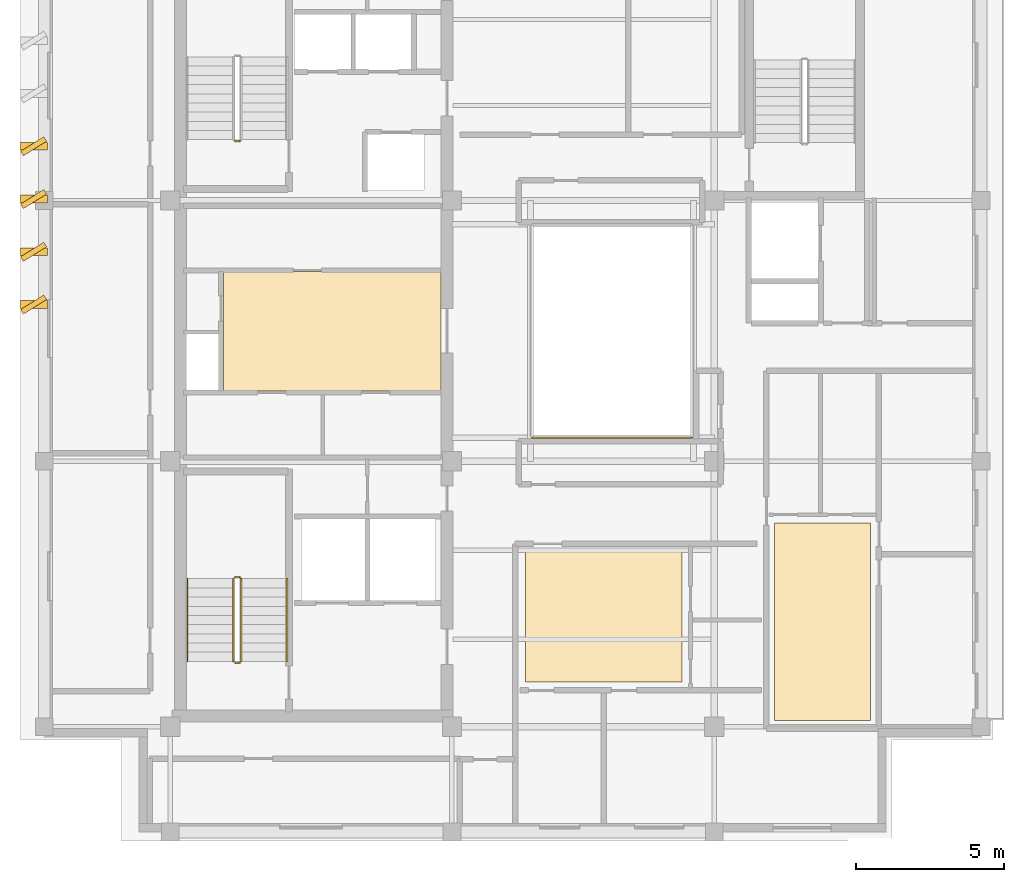
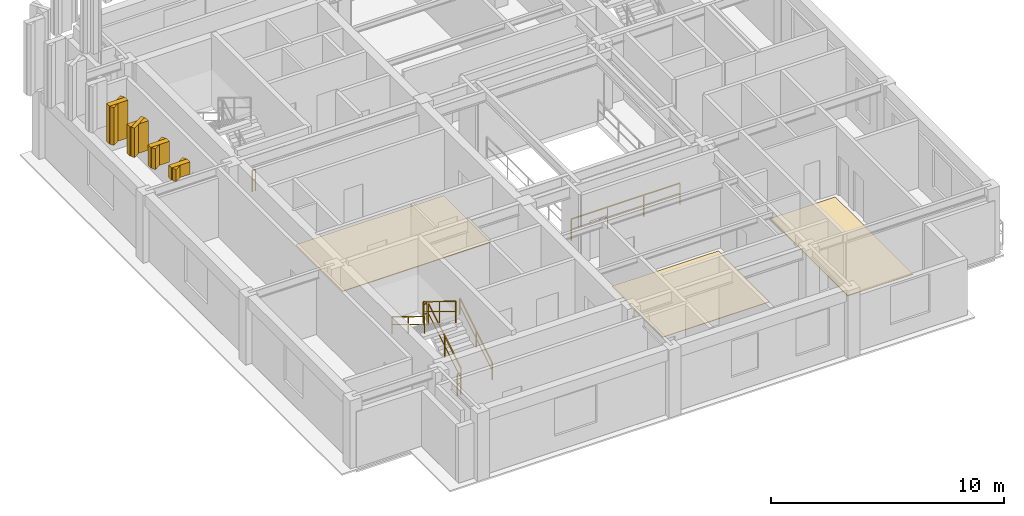
# One storey, part 7 of 9: 8 railings, 7 coverings, 4 shading devices.
"""IFC4 building model written with IfcOpenShell, lengths in metres."""

from ifc_helpers import new_model, si_unit, direction, frame, origin, origin_2d, place, context, subcontext, project, spatial, polyline, rectangle, outline, extrude, material, layer, layer_set, type_object, element, save


model = new_model("IFC4")

# Units and contexts
model_context = context("Model", 3, precision=1e-05, world=origin(), true_north=direction((0.0, 1.0)))
body_context = subcontext(model_context, "Body", "Model", "MODEL_VIEW")
ifc_project = project(units=[si_unit("LENGTHUNIT", "METRE"), si_unit("AREAUNIT", "SQUARE_METRE"), si_unit("VOLUMEUNIT", "CUBIC_METRE"), si_unit("PLANEANGLEUNIT", "RADIAN"), si_unit("MASSUNIT", "GRAM", prefix="KILO")], contexts=[model_context])

# Site, building, storey
site_placement = place(None, origin())
site = spatial("IfcSite", under=ifc_project, at=site_placement, CompositionType="ELEMENT")
building_placement = place(site_placement, origin())
building = spatial("IfcBuilding", under=site, at=building_placement, Name="Kundavana Baori Tower", CompositionType="ELEMENT")
storey_placement = place(building_placement, frame((0.0, 0.0, 342.89990234375)))
storey = spatial("IfcBuildingStorey", under=building, at=storey_placement, Name="L85", CompositionType="ELEMENT", Elevation=342.89990234375)

# Coverings
ifc_material_1 = material(Name="Honed Kota Stone and Terrazzo Flooring", Category="masonry")
ifc_layer_1 = layer(ifc_material_1, 0.0400390625, Name="COV-FLR-TERR-40")
ifc_layer_set_1 = layer_set([ifc_layer_1], Name="Honed Kota Stone and Terrazzo Flooring")
covering_type_1 = type_object("IfcCoveringType", Name="COV-FLR-TERR-40", PredefinedType="FLOORING", material=ifc_layer_set_1)
covering_1_placement = place(storey_placement, origin())
element("IfcCovering", 1, at=covering_1_placement, inside=storey, type_object=covering_type_1, Name="L85 Room Finished Stone Flooring 2", PredefinedType="FLOORING", context=body_context, shape_type="SweptSolid", body=[
    extrude(outline(polyline([(35.840087890625, 15.4599609375), (39.070068359375, 15.4599609375), (39.070068359375, 22.1201171875), (35.840087890625, 22.1201171875), (35.840087890625, 15.4599609375)])), origin(), (0.0, 0.0, 1.0), 0.0400390625),
])
covering_2_placement = place(storey_placement, origin())
element("IfcCovering", 2, at=covering_2_placement, inside=storey, type_object=covering_type_1, Name="L85 Core Lift Lobby Kota Stone Flooring", PredefinedType="FLOORING", context=body_context, shape_type="SweptSolid", body=[
    extrude(outline(polyline([(17.25, 26.580078125), (24.580078125, 26.580078125), (24.580078125, 30.60009765625), (17.25, 30.60009765625), (17.25, 26.580078125)])), origin(), (0.0, 0.0, 1.0), 0.0400390625),
])
ifc_material_2 = material(Name="Honed Kota Stone and Terrazzo Flooring", Category="masonry")
ifc_layer_2 = layer(ifc_material_2, 0.030029296875, Name="COV-INT-FLR")
ifc_layer_set_2 = layer_set([ifc_layer_2], Name="Honed Kota Stone and Terrazzo Flooring")
covering_type_2 = type_object("IfcCoveringType", Name="COV-INT-FLR", PredefinedType="FLOORING", material=ifc_layer_set_2)
covering_3_placement = place(storey_placement, origin())
element("IfcCovering", 3, at=covering_3_placement, inside=storey, type_object=covering_type_2, Name="L85 Room Finished Stone Flooring 1", PredefinedType="FLOORING", context=body_context, shape_type="SweptSolid", body=[
    extrude(outline(polyline([(27.43994140625, 16.75), (32.719970703125, 16.75), (32.719970703125, 21.139892578125), (27.43994140625, 21.139892578125), (27.43994140625, 16.75)])), origin(), (0.0, 0.0, 1.0), 0.030029296875),
])
ifc_material_3 = material(Name="Cream-White Makrana Limestone on Concrete C40/50", Category="masonry")
ifc_layer_3 = layer(ifc_material_3, 0.239990234375, Name="COV-SAIL-FIN")
ifc_layer_set_3 = layer_set([ifc_layer_3], Name="Cream-White Makrana Limestone on Concrete C40/50")
covering_type_3 = type_object("IfcCoveringType", Name="COV-SAIL-FIN", PredefinedType="CLADDING", material=ifc_layer_set_3)
covering_4_placement = place(storey_placement, frame((0.0, 0.0, 5.22216796875)))
element("IfcCovering", 4, at=covering_4_placement, inside=storey, type_object=covering_type_3, Name="L85 Climbing Makrana White Limestone Sail Fin 063", PredefinedType="CLADDING", context=body_context, shape_type="SweptSolid", body=[
    extrude(outline(polyline([(10.3798828125, 34.699951171875), (11.300048828125, 34.699951171875), (11.300048828125, 34.9599609375), (10.3798828125, 34.9599609375), (10.3798828125, 34.699951171875)])), origin(), (0.0, 0.0, 1.0), 1.97802734375),
])
covering_5_placement = place(storey_placement, frame((0.0, 0.0, 5.66650390625)))
element("IfcCovering", 5, at=covering_5_placement, inside=storey, type_object=covering_type_3, Name="L85 Climbing Makrana White Limestone Sail Fin 064", PredefinedType="CLADDING", context=body_context, shape_type="SweptSolid", body=[
    extrude(outline(polyline([(10.3798828125, 32.919921875), (11.300048828125, 32.919921875), (11.300048828125, 33.179931640625), (10.3798828125, 33.179931640625), (10.3798828125, 32.919921875)])), origin(), (0.0, 0.0, 1.0), 1.53369140625),
])
covering_6_placement = place(storey_placement, frame((0.0, 0.0, 6.11279296875)))
element("IfcCovering", 6, at=covering_6_placement, inside=storey, type_object=covering_type_3, Name="L85 Climbing Makrana White Limestone Sail Fin 065", PredefinedType="CLADDING", context=body_context, shape_type="SweptSolid", body=[
    extrude(outline(polyline([(10.3798828125, 31.139892578125), (11.300048828125, 31.139892578125), (11.300048828125, 31.39990234375), (10.3798828125, 31.39990234375), (10.3798828125, 31.139892578125)])), origin(), (0.0, 0.0, 1.0), 1.08740234375),
])
covering_7_placement = place(storey_placement, frame((0.0, 0.0, 6.5615234375)))
element("IfcCovering", 7, at=covering_7_placement, inside=storey, type_object=covering_type_3, Name="L85 Climbing Makrana White Limestone Sail Fin 066", PredefinedType="CLADDING", context=body_context, shape_type="SweptSolid", body=[
    extrude(outline(polyline([(10.3798828125, 29.360107421875), (11.300048828125, 29.360107421875), (11.300048828125, 29.6201171875), (10.3798828125, 29.6201171875), (10.3798828125, 29.360107421875)])), origin(), (0.0, 0.0, 1.0), 0.638671875),
])

# Railings
ifc_material_4 = material(Name="Architectural Patinated Bronze Metalwork")
railing_type_1 = type_object("IfcRailingType", Name="RL-GRD-1150", PredefinedType="GUARDRAIL", material=ifc_material_4)
railing_1_placement = place(storey_placement, frame((17.840087890625, 17.449951171875, 0.190185546875)))
element("IfcRailing", 8, at=railing_1_placement, inside=storey, type_object=railing_type_1, Name="L85 ST1 stair guard 1", PredefinedType="GUARDRAIL", context=body_context, shape_type="SweptSolid", body=[
    extrude(rectangle(XDim=0.048095703125, YDim=0.048095703125, at=origin_2d()), frame((0.0, 0.0, 1.1259765625), z_axis=(0.0, 0.852609830418, 0.522548061975), x_axis=(-1.0, 0.0, 0.0)), (0.0, 0.0, 1.0), 3.2724609375),
    extrude(rectangle(XDim=0.03125, YDim=0.03125, at=origin_2d()), frame((0.0, 0.0, 0.597900390625), z_axis=(0.0, 0.852609830418, 0.522548061975), x_axis=(-1.0, 0.0, 0.0)), (0.0, 0.0, 1.0), 3.2724609375),
    extrude(rectangle(XDim=0.0419921875, YDim=0.0419921875, at=origin_2d()), origin(), (0.0, 0.0, 1.0), 1.101806640625),
    extrude(rectangle(XDim=0.0419921875, YDim=0.0419921875, at=origin_2d()), frame((0.0, 1.39501953125, 0.85498046875)), (0.0, 0.0, 1.0), 1.101806640625),
    extrude(rectangle(XDim=0.0419921875, YDim=0.0419921875, at=origin_2d()), frame((0.0, 2.7900390625, 1.7099609375)), (0.0, 0.0, 1.0), 1.101806640625),
])
railing_2_placement = place(storey_placement, frame((17.7900390625, 20.2900390625, 1.900146484375)))
element("IfcRailing", 9, at=railing_2_placement, inside=storey, type_object=railing_type_1, Name="L85 ST1 stair guard 2", PredefinedType="GUARDRAIL", context=body_context, shape_type="SweptSolid", body=[
    extrude(rectangle(XDim=0.048095703125, YDim=0.048095703125, at=origin_2d()), frame((0.0, 0.0, 1.1259765625), z_axis=(-1.0, 0.0, 0.0), x_axis=(0.0, -1.0, 0.0)), (0.0, 0.0, 1.0), 0.16015625),
    extrude(rectangle(XDim=0.03125, YDim=0.03125, at=origin_2d()), frame((0.0, 0.0, 0.597900390625), z_axis=(-1.0, 0.0, 0.0), x_axis=(0.0, -1.0, 0.0)), (0.0, 0.0, 1.0), 0.16015625),
    extrude(rectangle(XDim=0.0419921875, YDim=0.0419921875, at=origin_2d()), origin(), (0.0, 0.0, 1.0), 1.101806640625),
    extrude(rectangle(XDim=0.0419921875, YDim=0.0419921875, at=origin_2d()), frame((-0.16015625, 0.0, 0.0)), (0.0, 0.0, 1.0), 1.101806640625),
])
railing_3_placement = place(storey_placement, frame((17.580078125, 20.239990234375, 2.090087890625)))
element("IfcRailing", 10, at=railing_3_placement, inside=storey, type_object=railing_type_1, Name="L85 ST1 stair guard 3", PredefinedType="GUARDRAIL", context=body_context, shape_type="SweptSolid", body=[
    extrude(rectangle(XDim=0.048095703125, YDim=0.048095703125, at=origin_2d()), frame((0.0, 0.0, 1.1259765625), z_axis=(0.0, -0.852609830418, 0.522548061975), x_axis=(1.0, 0.0, 0.0)), (0.0, 0.0, 1.0), 3.2724609375),
    extrude(rectangle(XDim=0.03125, YDim=0.03125, at=origin_2d()), frame((0.0, 0.0, 0.597900390625), z_axis=(0.0, -0.852609830418, 0.522548061975), x_axis=(1.0, 0.0, 0.0)), (0.0, 0.0, 1.0), 3.2724609375),
    extrude(rectangle(XDim=0.0419921875, YDim=0.0419921875, at=origin_2d()), origin(), (0.0, 0.0, 1.0), 1.101806640625),
    extrude(rectangle(XDim=0.0419921875, YDim=0.0419921875, at=origin_2d()), frame((0.0, -1.39501953125, 0.85498046875)), (0.0, 0.0, 1.0), 1.101806640625),
    extrude(rectangle(XDim=0.0419921875, YDim=0.0419921875, at=origin_2d()), frame((0.0, -2.7900390625, 1.7099609375)), (0.0, 0.0, 1.0), 1.101806640625),
])
for number, where, name in (
    (11, (17.7900390625, 17.39990234375, 0.0), "L85 ST1 stair guard 4"),
    (12, (17.7900390625, 35.0, 0.0), "L85 ST2 stair guard 4"),
):
    element("IfcRailing", number, at=place(storey_placement, frame(where)), inside=storey, type_object=railing_type_1, Name=name, PredefinedType="GUARDRAIL", context=body_context, shape_type="SweptSolid", body=[
        extrude(rectangle(XDim=0.048095703125, YDim=0.048095703125, at=origin_2d()), frame((0.0, 0.0, 1.1259765625), z_axis=(-1.0, 0.0, 0.0), x_axis=(0.0, -1.0, 0.0)), (0.0, 0.0, 1.0), 0.16015625),
        extrude(rectangle(XDim=0.03125, YDim=0.03125, at=origin_2d()), frame((0.0, 0.0, 0.597900390625), z_axis=(-1.0, 0.0, 0.0), x_axis=(0.0, -1.0, 0.0)), (0.0, 0.0, 1.0), 0.16015625),
        extrude(rectangle(XDim=0.0419921875, YDim=0.0419921875, at=origin_2d()), origin(), (0.0, 0.0, 1.0), 1.101806640625),
        extrude(rectangle(XDim=0.0419921875, YDim=0.0419921875, at=origin_2d()), frame((-0.16015625, 0.0, 0.0)), (0.0, 0.0, 1.0), 1.101806640625),
    ])
railing_4_placement = place(storey_placement, frame((27.659912109375, 25.0, 0.0)))
element("IfcRailing", 13, at=railing_4_placement, inside=storey, type_object=railing_type_1, Name="L85 Atrium Void Perimeter Guardrail S", PredefinedType="GUARDRAIL", context=body_context, shape_type="SweptSolid", body=[
    extrude(rectangle(XDim=0.048095703125, YDim=0.048095703125, at=origin_2d()), frame((0.0, 0.0, 1.1259765625), z_axis=(1.0, 0.0, 0.0), x_axis=(0.0, 1.0, 0.0)), (0.0, 0.0, 1.0), 5.380126953125),
    extrude(rectangle(XDim=0.03125, YDim=0.03125, at=origin_2d()), frame((0.0, 0.0, 0.597900390625), z_axis=(1.0, 0.0, 0.0), x_axis=(0.0, 1.0, 0.0)), (0.0, 0.0, 1.0), 5.380126953125),
    extrude(rectangle(XDim=0.0419921875, YDim=0.0419921875, at=origin_2d()), origin(), (0.0, 0.0, 1.0), 1.101806640625),
    extrude(rectangle(XDim=0.0419921875, YDim=0.0419921875, at=origin_2d()), frame((1.79345703125, 0.0, 0.0)), (0.0, 0.0, 1.0), 1.101806640625),
    extrude(rectangle(XDim=0.0419921875, YDim=0.0419921875, at=origin_2d()), frame((3.586669921875, 0.0, 0.0)), (0.0, 0.0, 1.0), 1.101806640625),
    extrude(rectangle(XDim=0.0419921875, YDim=0.0419921875, at=origin_2d()), frame((5.380126953125, 0.0, 0.0)), (0.0, 0.0, 1.0), 1.101806640625),
])
ifc_material_5 = material(Name="Architectural Patinated Bronze Metalwork")
railing_type_2 = type_object("IfcRailingType", Name="RL-HND-920", PredefinedType="HANDRAIL", material=ifc_material_5)
railing_5_placement = place(storey_placement, frame((19.389892578125, 17.449951171875, 0.190185546875)))
element("IfcRailing", 14, at=railing_5_placement, inside=storey, type_object=railing_type_2, Name="L85 ST1 stair handrail 1", PredefinedType="HANDRAIL", context=body_context, shape_type="SweptSolid", body=[
    extrude(rectangle(XDim=0.048095703125, YDim=0.048095703125, at=origin_2d()), frame((0.0, 0.0, 0.8759765625), z_axis=(0.0, 0.852609830418, 0.522548061975), x_axis=(-1.0, 0.0, 0.0)), (0.0, 0.0, 1.0), 3.2724609375),
    extrude(rectangle(XDim=0.03125, YDim=0.03125, at=origin_2d()), frame((0.0, 0.0, 0.468017578125), z_axis=(0.0, 0.852609830418, 0.522548061975), x_axis=(-1.0, 0.0, 0.0)), (0.0, 0.0, 1.0), 3.2724609375),
    extrude(rectangle(XDim=0.0419921875, YDim=0.0419921875, at=origin_2d()), origin(), (0.0, 0.0, 1.0), 0.851806640625),
    extrude(rectangle(XDim=0.0419921875, YDim=0.0419921875, at=origin_2d()), frame((0.0, 1.39501953125, 0.85498046875)), (0.0, 0.0, 1.0), 0.851806640625),
    extrude(rectangle(XDim=0.0419921875, YDim=0.0419921875, at=origin_2d()), frame((0.0, 2.7900390625, 1.7099609375)), (0.0, 0.0, 1.0), 0.851806640625),
])
railing_6_placement = place(storey_placement, frame((16.030029296875, 20.239990234375, 2.090087890625)))
element("IfcRailing", 15, at=railing_6_placement, inside=storey, type_object=railing_type_2, Name="L85 ST1 stair handrail 2", PredefinedType="HANDRAIL", context=body_context, shape_type="SweptSolid", body=[
    extrude(rectangle(XDim=0.048095703125, YDim=0.048095703125, at=origin_2d()), frame((0.0, 0.0, 0.8759765625), z_axis=(0.0, -0.852609830418, 0.522548061975), x_axis=(1.0, 0.0, 0.0)), (0.0, 0.0, 1.0), 3.2724609375),
    extrude(rectangle(XDim=0.03125, YDim=0.03125, at=origin_2d()), frame((0.0, 0.0, 0.468017578125), z_axis=(0.0, -0.852609830418, 0.522548061975), x_axis=(1.0, 0.0, 0.0)), (0.0, 0.0, 1.0), 3.2724609375),
    extrude(rectangle(XDim=0.0419921875, YDim=0.0419921875, at=origin_2d()), origin(), (0.0, 0.0, 1.0), 0.851806640625),
    extrude(rectangle(XDim=0.0419921875, YDim=0.0419921875, at=origin_2d()), frame((0.0, -1.39501953125, 0.85498046875)), (0.0, 0.0, 1.0), 0.851806640625),
    extrude(rectangle(XDim=0.0419921875, YDim=0.0419921875, at=origin_2d()), frame((0.0, -2.7900390625, 1.7099609375)), (0.0, 0.0, 1.0), 0.851806640625),
])

# Shading devices
ifc_material_6 = material(Name="Red-Buff Dholpur Sandstone Cladding on Concrete C40/50", Category="masonry")
shading_device_type = type_object("IfcShadingDeviceType", Name="SHD-FIN-920", PredefinedType="JALOUSIE", material=ifc_material_6)
shading_device_1_placement = place(storey_placement, frame((10.840087890625, 34.830078125, 5.22216796875), z_axis=(0.0, 0.0, 1.0), x_axis=(-0.529919264233, 0.848048096156, 0.0)))
element("IfcShadingDevice", 16, at=shading_device_1_placement, inside=storey, type_object=shading_device_type, Name="L85 Sweeping Makrana Limestone Crown Sail Blade 063", PredefinedType="JALOUSIE", context=body_context, shape_type="SweptSolid", body=[
    extrude(rectangle(XDim=0.179931640625, YDim=0.919921875, at=origin_2d()), origin(), (0.0, 0.0, 1.0), 1.977783203125),
])
shading_device_2_placement = place(storey_placement, frame((10.840087890625, 33.050048828125, 5.66650390625), z_axis=(0.0, 0.0, 1.0), x_axis=(-0.529919264233, 0.848048096156, 0.0)))
element("IfcShadingDevice", 17, at=shading_device_2_placement, inside=storey, type_object=shading_device_type, Name="L85 Sweeping Makrana Limestone Crown Sail Blade 064", PredefinedType="JALOUSIE", context=body_context, shape_type="SweptSolid", body=[
    extrude(rectangle(XDim=0.179931640625, YDim=0.919921875, at=origin_2d()), origin(), (0.0, 0.0, 1.0), 1.53369140625),
])
shading_device_3_placement = place(storey_placement, frame((10.840087890625, 31.27001953125, 6.11279296875), z_axis=(0.0, 0.0, 1.0), x_axis=(-0.529919264233, 0.848048096156, 0.0)))
element("IfcShadingDevice", 18, at=shading_device_3_placement, inside=storey, type_object=shading_device_type, Name="L85 Sweeping Makrana Limestone Crown Sail Blade 065", PredefinedType="JALOUSIE", context=body_context, shape_type="SweptSolid", body=[
    extrude(rectangle(XDim=0.179931640625, YDim=0.919921875, at=origin_2d()), origin(), (0.0, 0.0, 1.0), 1.087158203125),
])
shading_device_4_placement = place(storey_placement, frame((10.840087890625, 29.489990234375, 6.5615234375), z_axis=(0.0, 0.0, 1.0), x_axis=(-0.529919264233, 0.848048096156, 0.0)))
element("IfcShadingDevice", 19, at=shading_device_4_placement, inside=storey, type_object=shading_device_type, Name="L85 Sweeping Makrana Limestone Crown Sail Blade 066", PredefinedType="JALOUSIE", context=body_context, shape_type="SweptSolid", body=[
    extrude(rectangle(XDim=0.179931640625, YDim=0.919921875, at=origin_2d()), origin(), (0.0, 0.0, 1.0), 0.638427734375),
])

save(model, "model.ifc")
